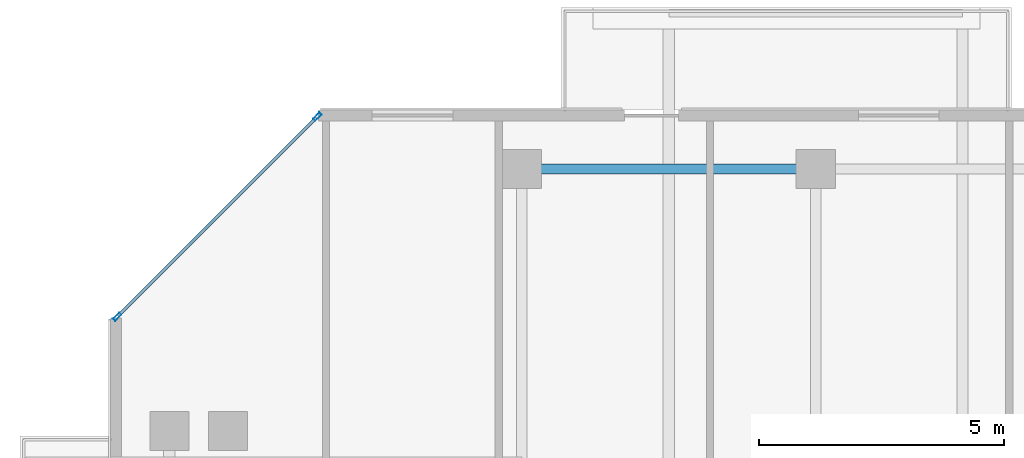
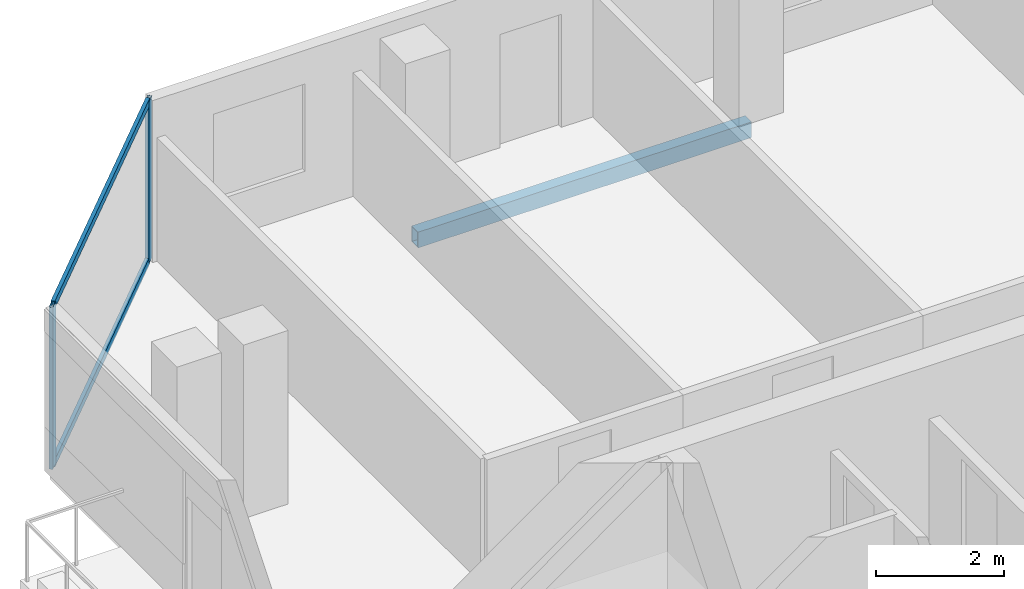
# One storey, part 8 of 29: 4 members, 1 beam, 1 element without a shape of its own.
"""IFC4 building model written with IfcOpenShell, lengths in metres."""

from ifc_helpers import new_model, si_unit, direction, frame, origin, origin_2d, place, context, subcontext, project, spatial, hollow_rectangle, extrude, material, layer, layer_set, material_profile, profile_set, type_object, element, aggregate, save


model = new_model("IFC4")

# Units and contexts
model_context = context("Model", 3, precision=1e-05, world=origin(), true_north=direction((0.0, 1.0)))
body_context = subcontext(model_context, "Body", "Model", "MODEL_VIEW")
ifc_project = project(units=[si_unit("LENGTHUNIT", "METRE"), si_unit("AREAUNIT", "SQUARE_METRE"), si_unit("VOLUMEUNIT", "CUBIC_METRE"), si_unit("PLANEANGLEUNIT", "RADIAN"), si_unit("MASSUNIT", "GRAM", prefix="KILO")], contexts=[model_context])

# Site, building, storey
site_placement = place(None, origin())
site = spatial("IfcSite", under=ifc_project, at=site_placement, CompositionType="ELEMENT")
building_placement = place(site_placement, origin())
building = spatial("IfcBuilding", under=site, at=building_placement, Name="Tanjung Sevakor Pilgrim Tower", CompositionType="ELEMENT")
storey_placement = place(building_placement, frame((0.0, 0.0, 188.429931640625)))
storey = spatial("IfcBuildingStorey", under=building, at=storey_placement, Name="L52", CompositionType="ELEMENT", Elevation=188.429931640625)

# Beam
ifc_material_1 = material(Name="Steel S355J2", Category="steel")
ifc_material_profile_1 = material_profile(ifc_material_1, hollow_rectangle(XDim=0.199951171875, YDim=0.300048828125, WallThickness=0.012451171875, at=origin_2d()))
ifc_profile_set_1 = profile_set([ifc_material_profile_1], Name="Steel S355J2")
beam_type = type_object("IfcBeamType", Name="BM-B-SP3-RHS_300x200x12.5", PredefinedType="SPANDREL", material=ifc_profile_set_1)
beam_placement = place(storey_placement, frame((30.0, 53.949951171875, -0.369873046875), z_axis=(1.0, 0.0, 0.0), x_axis=(0.0, 1.0, 0.0)))
element("IfcBeam", 1, at=beam_placement, inside=storey, type_object=beam_type, Name="L52 Spandrel MAIN N-02", PredefinedType="SPANDREL", context=body_context, shape_type="SweptSolid", body=[
    extrude(hollow_rectangle(XDim=0.199951171875, YDim=0.300048828125, WallThickness=0.012451171875, at=origin_2d()), origin(), (0.0, 0.0, 1.0), 6.0),
])

# Curtain wall, members
ifc_material_2 = material(Name="Aluminium 6063-T6 and Low-E Glass", Category="aluminium")
ifc_layer = layer(ifc_material_2, 0.179931640625)
ifc_layer_set = layer_set([ifc_layer], Name="CW-SYS-CHAM")
curtain_wall_type = type_object("IfcCurtainWallType", Name="CW-SYS-CHAM", PredefinedType="NOTDEFINED", material=ifc_layer_set)
curtain_wall_placement = place(storey_placement, origin())
curtain_wall = element("IfcCurtainWall", 2, at=curtain_wall_placement, inside=storey, type_object=curtain_wall_type, Name="L52 Curtain Wall CW-CHM-L52-MAIN-13", PredefinedType="NOTDEFINED")
ifc_material_3 = material(Name="Aluminium 6063-T6", Category="aluminium")
ifc_material_profile_2 = material_profile(ifc_material_3, hollow_rectangle(XDim=0.06494140625, YDim=0.179931640625, WallThickness=0.00390625, at=origin_2d()))
ifc_profile_set_2 = profile_set([ifc_material_profile_2], Name="Aluminium 6063-T6")
member_type_1 = type_object("IfcMemberType", Name="TYPE-CWM-1", PredefinedType="MULLION", material=ifc_profile_set_2)
member_1_placement = place(storey_placement, frame((25.822509765625, 55.01708984375, 0.0), z_axis=(0.0, 0.0, 1.0), x_axis=(0.707106781187, -0.707106781187, 0.0)))
member_1 = element("IfcMember", 3, at=member_1_placement, type_object=member_type_1, Name="CW-CHM mullion 1", PredefinedType="MULLION", context=body_context, shape_type="SweptSolid", body=[
    extrude(hollow_rectangle(XDim=0.06494140625, YDim=0.179931640625, WallThickness=0.00390625, at=origin_2d()), origin(), (0.0, 0.0, 1.0), 3.080078125),
])
member_2_placement = place(storey_placement, frame((21.73291015625, 50.927490234375, 0.0), z_axis=(0.0, 0.0, 1.0), x_axis=(0.707106781187, -0.707106781187, 0.0)))
member_2 = element("IfcMember", 4, at=member_2_placement, type_object=member_type_1, Name="CW-CHM mullion 2", PredefinedType="MULLION", context=body_context, shape_type="SweptSolid", body=[
    extrude(hollow_rectangle(XDim=0.06494140625, YDim=0.179931640625, WallThickness=0.00390625, at=origin_2d()), origin(), (0.0, 0.0, 1.0), 3.080078125),
])
ifc_material_4 = material(Name="Aluminium 6063-T6", Category="aluminium")
ifc_material_profile_3 = material_profile(ifc_material_4, hollow_rectangle(XDim=0.06494140625, YDim=0.139892578125, WallThickness=0.00390625, at=origin_2d()))
ifc_profile_set_3 = profile_set([ifc_material_profile_3], Name="Aluminium 6063-T6")
member_type_2 = type_object("IfcMemberType", Name="TYPE-CWT-1", PredefinedType="USERDEFINED", material=ifc_profile_set_3)
member_3_placement = place(storey_placement, frame((25.799560546875, 54.994140625, 0.032470703125), z_axis=(-0.707106781187, -0.707106781187, 0.0), x_axis=(0.707106781187, -0.707106781187, 0.0)))
member_3 = element("IfcMember", 5, at=member_3_placement, type_object=member_type_2, Name="CW-CHM transom 1.1", ObjectType="TRANSOM", PredefinedType="USERDEFINED", context=body_context, shape_type="SweptSolid", body=[
    extrude(hollow_rectangle(XDim=0.06494140625, YDim=0.139892578125, WallThickness=0.00390625, at=origin_2d()), origin(), (0.0, 0.0, 1.0), 5.71875),
])
member_4_placement = place(storey_placement, frame((25.799560546875, 54.994140625, 3.047607421875), z_axis=(-0.707106781187, -0.707106781187, 0.0), x_axis=(0.707106781187, -0.707106781187, 0.0)))
member_4 = element("IfcMember", 6, at=member_4_placement, type_object=member_type_2, Name="CW-CHM transom 1.2", ObjectType="TRANSOM", PredefinedType="USERDEFINED", context=body_context, shape_type="SweptSolid", body=[
    extrude(hollow_rectangle(XDim=0.06494140625, YDim=0.139892578125, WallThickness=0.00390625, at=origin_2d()), origin(), (0.0, 0.0, 1.0), 5.71875),
])
aggregate(curtain_wall, [member_1, member_2, member_3, member_4])

save(model, "model.ifc")
